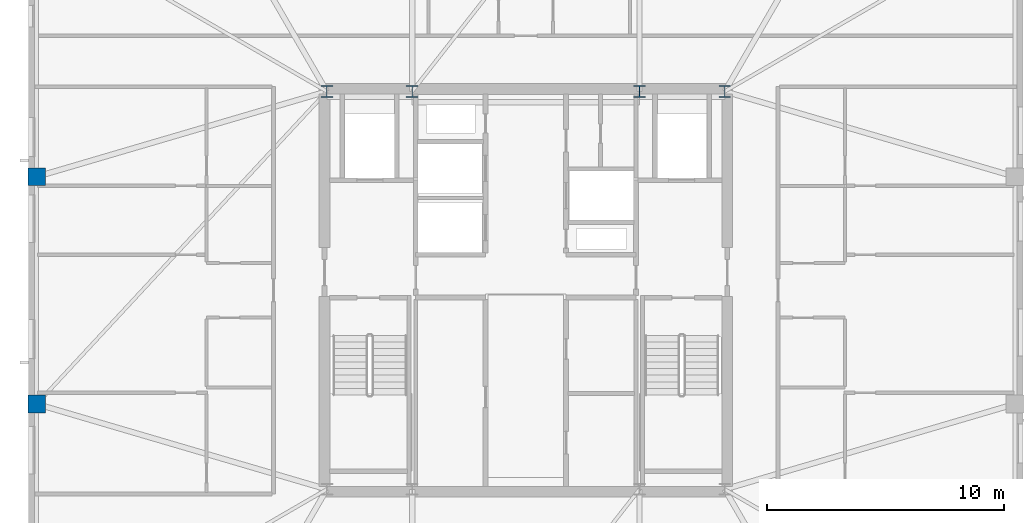
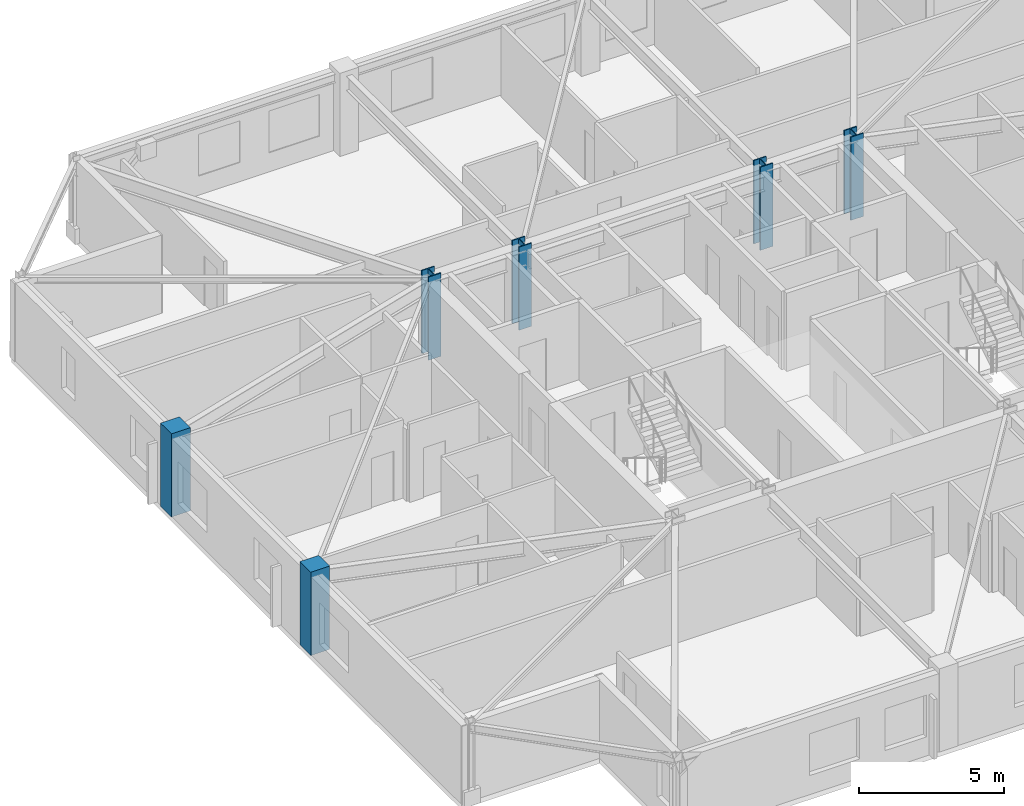
# One storey, part 2 of 15: 6 columns.
"""IFC4 building model written with IfcOpenShell, lengths in metres."""

from ifc_helpers import new_model, si_unit, direction, frame, origin, origin_2d, place, context, subcontext, project, spatial, rectangle, i_section, extrude, material, material_profile, profile_set, type_object, element, save


model = new_model("IFC4")

# Units and contexts
model_context = context("Model", 3, precision=1e-05, world=origin(), true_north=direction((0.0, 1.0)))
body_context = subcontext(model_context, "Body", "Model", "MODEL_VIEW")
ifc_project = project(units=[si_unit("LENGTHUNIT", "METRE"), si_unit("AREAUNIT", "SQUARE_METRE"), si_unit("VOLUMEUNIT", "CUBIC_METRE"), si_unit("PLANEANGLEUNIT", "RADIAN"), si_unit("MASSUNIT", "GRAM", prefix="KILO")], contexts=[model_context])

# Site, building, storey
site_placement = place(None, origin())
site = spatial("IfcSite", under=ifc_project, at=site_placement, CompositionType="ELEMENT")
building_placement = place(site_placement, origin())
building = spatial("IfcBuilding", under=site, at=building_placement, Name="Cairnveth Concourse Tower", CompositionType="ELEMENT")
storey_placement = place(building_placement, frame((0.0, 0.0, 284.0)))
storey = spatial("IfcBuildingStorey", under=building, at=storey_placement, Name="L78", CompositionType="ELEMENT", Elevation=284.0)

# Columns
ifc_material_1 = material(Name="Concrete N50 (50 MPa)", Category="concrete")
ifc_material_profile_1 = material_profile(ifc_material_1, rectangle(XDim=0.75, YDim=0.75, at=origin_2d()), Name="RC-COL-750x750")
ifc_profile_set_1 = profile_set([ifc_material_profile_1], Name="Concrete N50 (50 MPa)")
column_type_1 = type_object("IfcColumnType", Name="PERIMETER PIER COLUMN 750X750", PredefinedType="COLUMN", material=ifc_profile_set_1)
for number, where, z_axis, x_axis, name in (
    (1, (31.35009765625, 43.800048828125, 0.0), (0.0, 0.0, 1.0), (0.0, 1.0, 0.0), "Column P-W2 L78"),
    (2, (31.35009765625, 34.199951171875, 0.0), (0.0, 0.0, 1.0), (0.0, 1.0, 0.0), "Column P-W3 L78"),
):
    element("IfcColumn", number, at=place(storey_placement, frame(where, z_axis=z_axis, x_axis=x_axis)), inside=storey, type_object=column_type_1, Name=name, PredefinedType="COLUMN", context=body_context, shape_type="SweptSolid", body=[
        extrude(rectangle(XDim=0.75, YDim=0.75, at=origin_2d()), origin(), (0.0, 0.0, 1.0), 3.5),
    ])
ifc_material_2 = material(Name="Steel Grade 350", Category="steel")
ifc_material_profile_2 = material_profile(ifc_material_2, i_section(OverallWidth=0.5, OverallDepth=0.5, WebThickness=0.028076171875, FlangeThickness=0.044921875, at=origin_2d()), Name="500WC383")
ifc_profile_set_2 = profile_set([ifc_material_profile_2], Name="Steel Grade 350")
column_type_2 = type_object("IfcColumnType", Name="WELDED STEEL COLUMN 500WC383", PredefinedType="COLUMN", material=ifc_profile_set_2)
for number, where, z_axis, x_axis, name in (
    (3, (43.60009765625, 47.39990234375, 0.0), (0.0, 0.0, 1.0), (1.0, 0.0, 0.0), "Column CC5 L78"),
    (4, (47.199951171875, 47.39990234375, 0.0), (0.0, 0.0, 1.0), (1.0, 0.0, 0.0), "Column CC6 L78"),
    (5, (56.800048828125, 47.39990234375, 0.0), (0.0, 0.0, 1.0), (1.0, 0.0, 0.0), "Column CC7 L78"),
    (6, (60.39990234375, 47.39990234375, 0.0), (0.0, 0.0, 1.0), (1.0, 0.0, 0.0), "Column CC8 L78"),
):
    element("IfcColumn", number, at=place(storey_placement, frame(where, z_axis=z_axis, x_axis=x_axis)), inside=storey, type_object=column_type_2, Name=name, PredefinedType="COLUMN", context=body_context, shape_type="SweptSolid", body=[
        extrude(i_section(OverallWidth=0.5, OverallDepth=0.5, WebThickness=0.028076171875, FlangeThickness=0.044921875, at=origin_2d()), origin(), (0.0, 0.0, 1.0), 3.5),
    ])

save(model, "model.ifc")
